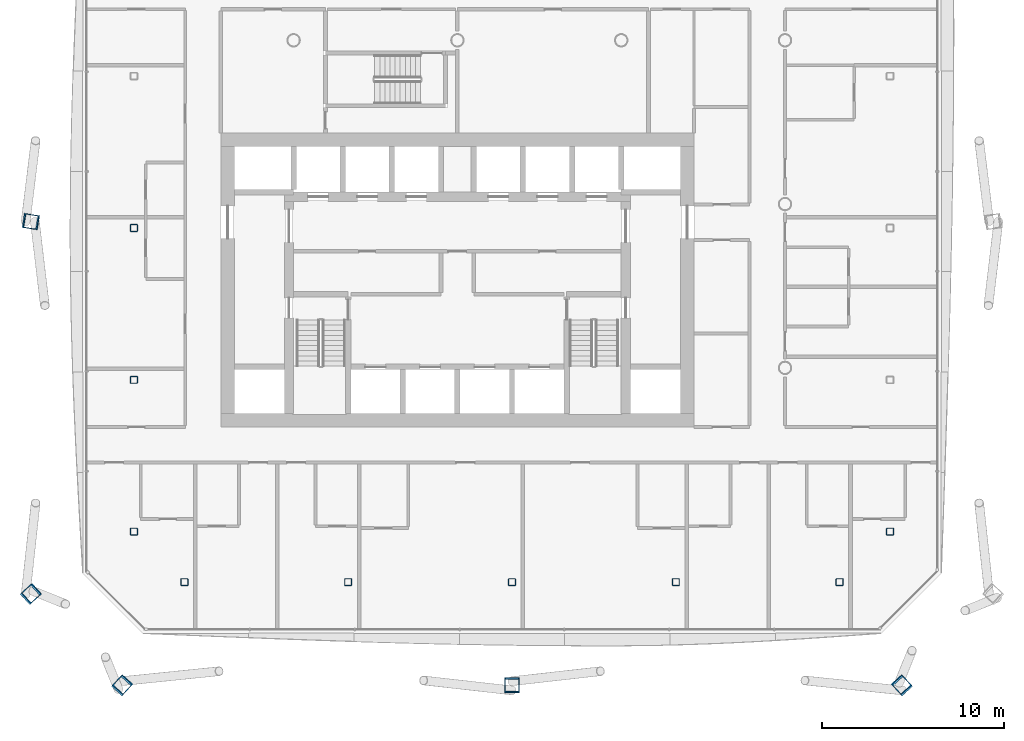
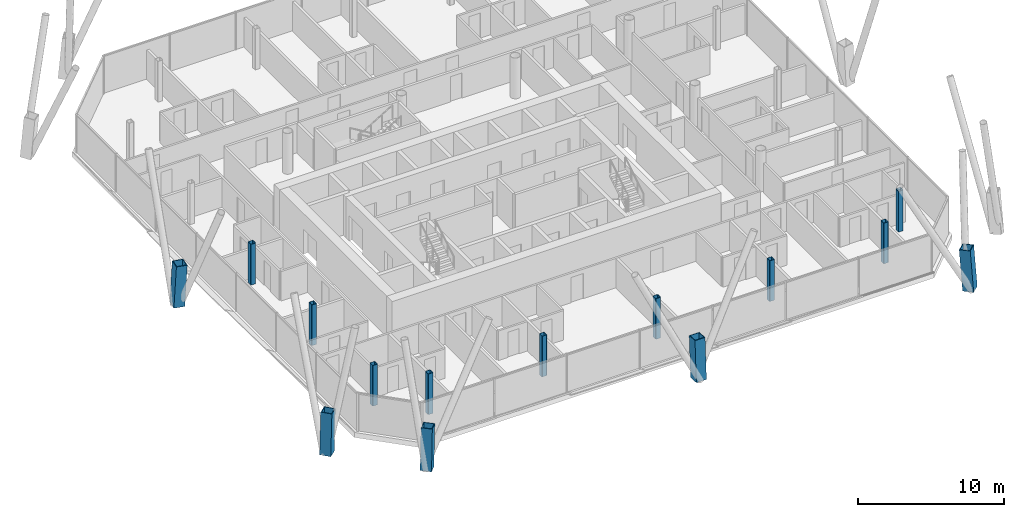
# One storey, part 1 of 22: 14 columns.
"""IFC4 building model written with IfcOpenShell, lengths in metres."""

from ifc_helpers import new_model, si_unit, direction, frame, origin, origin_2d, place, context, subcontext, project, spatial, hollow_rectangle, extrude, material, material_profile, profile_set, type_object, element, save


model = new_model("IFC4")

# Units and contexts
model_context = context("Model", 3, precision=1e-05, world=origin(), true_north=direction((0.0, 1.0)))
body_context = subcontext(model_context, "Body", "Model", "MODEL_VIEW")
ifc_project = project(units=[si_unit("LENGTHUNIT", "METRE"), si_unit("AREAUNIT", "SQUARE_METRE"), si_unit("VOLUMEUNIT", "CUBIC_METRE"), si_unit("PLANEANGLEUNIT", "RADIAN"), si_unit("MASSUNIT", "GRAM", prefix="KILO")], contexts=[model_context])

# Site, building, storey
site_placement = place(None, origin())
site = spatial("IfcSite", under=ifc_project, at=site_placement, CompositionType="ELEMENT")
building_placement = place(site_placement, origin())
building = spatial("IfcBuilding", under=site, at=building_placement, Name="Tskaro Facet Tower", CompositionType="ELEMENT")
storey_placement = place(building_placement, frame((0.0, 0.0, 121.5)))
storey = spatial("IfcBuildingStorey", under=building, at=storey_placement, Name="L28", CompositionType="ELEMENT", Elevation=121.5)

# Columns
ifc_material_1 = material(Name="Steel S460M", Category="steel")
ifc_material_profile_1 = material_profile(ifc_material_1, hollow_rectangle(XDim=0.800048828125, YDim=0.800048828125, WallThickness=0.050048828125, at=origin_2d()), Name="BOX 800x800x50")
ifc_profile_set_1 = profile_set([ifc_material_profile_1], Name="Steel S460M")
column_type_1 = type_object("IfcColumnType", Name="BOX 800x800x50 mega column", PredefinedType="COLUMN", material=ifc_profile_set_1)
column_1_placement = place(storey_placement, frame((-18.450927734375, -26.467041015625, 0.0), z_axis=(0.048986800555, 0.0537135971, 0.997354070959), x_axis=(-0.738869281565, 0.673848784787, 0.0)))
element("IfcColumn", 1, at=column_1_placement, inside=storey, type_object=column_type_1, Name="BOX 800x800x50 MC01/3", PredefinedType="COLUMN", context=body_context, shape_type="SweptSolid", body=[
    extrude(hollow_rectangle(XDim=0.800048828125, YDim=0.800048828125, WallThickness=0.050048828125, at=origin_2d()), origin(), (0.0, 0.0, 1.0), 3.408935546875),
])
column_2_placement = place(storey_placement, frame((3.0, -26.467041015625, 0.0), z_axis=(0.0, 0.053778161763, 0.998552907621), x_axis=(-1.0, 0.0, 0.0)))
element("IfcColumn", 2, at=column_2_placement, inside=storey, type_object=column_type_1, Name="BOX 800x800x50 MC02/3", PredefinedType="COLUMN", context=body_context, shape_type="SweptSolid", body=[
    extrude(hollow_rectangle(XDim=0.800048828125, YDim=0.800048828125, WallThickness=0.050048828125, at=origin_2d()), origin(), (0.0, 0.0, 1.0), 3.40478515625),
])
column_3_placement = place(storey_placement, frame((24.450927734375, -26.467041015625, 0.0), z_axis=(-0.048986800555, 0.0537135971, 0.997354070959), x_axis=(-0.738869281565, -0.673848784787, 0.0)))
element("IfcColumn", 3, at=column_3_placement, inside=storey, type_object=column_type_1, Name="BOX 800x800x50 MC03/3", PredefinedType="COLUMN", context=body_context, shape_type="SweptSolid", body=[
    extrude(hollow_rectangle(XDim=0.800048828125, YDim=0.800048828125, WallThickness=0.050048828125, at=origin_2d()), origin(), (0.0, 0.0, 1.0), 3.408935546875),
])
column_4_placement = place(storey_placement, frame((-23.467041015625, -0.95703125, 0.0), z_axis=(0.053776204111, -0.008532491052, 0.998516557934), x_axis=(0.156706377373, 0.987645235543, 0.0)))
element("IfcColumn", 4, at=column_4_placement, inside=storey, type_object=column_type_1, Name="BOX 800x800x50 MC11/3", PredefinedType="COLUMN", context=body_context, shape_type="SweptSolid", body=[
    extrude(hollow_rectangle(XDim=0.800048828125, YDim=0.800048828125, WallThickness=0.050048828125, at=origin_2d()), origin(), (0.0, 0.0, 1.0), 3.405029296875),
])
column_5_placement = place(storey_placement, frame((-23.467041015625, -21.450927734375, 0.0), z_axis=(0.0537135971, 0.048986800555, 0.997354070959), x_axis=(-0.673848784787, 0.738869281565, 0.0)))
element("IfcColumn", 5, at=column_5_placement, inside=storey, type_object=column_type_1, Name="BOX 800x800x50 MC12/3", PredefinedType="COLUMN", context=body_context, shape_type="SweptSolid", body=[
    extrude(hollow_rectangle(XDim=0.800048828125, YDim=0.800048828125, WallThickness=0.050048828125, at=origin_2d()), origin(), (0.0, 0.0, 1.0), 3.408935546875),
])
ifc_material_2 = material(Name="Steel S355J2H", Category="steel")
ifc_material_profile_2 = material_profile(ifc_material_2, hollow_rectangle(XDim=0.39990234375, YDim=0.39990234375, WallThickness=0.02001953125, InnerFilletRadius=0.030029296875, OuterFilletRadius=0.050048828125, at=origin_2d()), Name="SHS 400x400x20")
ifc_profile_set_2 = profile_set([ifc_material_profile_2], Name="Steel S355J2H")
column_type_2 = type_object("IfcColumnType", Name="SHS 400x400x20 ring column", PredefinedType="COLUMN", material=ifc_profile_set_2)
for number, where, z_axis, x_axis, name in (
    (6, (-14.9990234375, -20.77392578125, 0.0), (0.0, 0.0, 1.0), (1.0, 0.0, 0.0), "SHS 400x400x20 RS-1/3"),
    (7, (-6.0, -20.77392578125, 0.0), (0.0, 0.0, 1.0), (1.0, 0.0, 0.0), "SHS 400x400x20 RS-2/3"),
    (8, (3.0, -20.77392578125, 0.0), (0.0, 0.0, 1.0), (1.0, 0.0, 0.0), "SHS 400x400x20 RS-3/3"),
    (9, (12.0, -20.77392578125, 0.0), (0.0, 0.0, 1.0), (1.0, 0.0, 0.0), "SHS 400x400x20 RS-4/3"),
    (10, (20.9990234375, -20.77392578125, 0.0), (0.0, 0.0, 1.0), (1.0, 0.0, 0.0), "SHS 400x400x20 RSE-1/3"),
    (11, (23.77392578125, -17.9990234375, 0.0), (0.0, 0.0, 1.0), (1.0, 0.0, 0.0), "SHS 400x400x20 RE-1/3"),
    (12, (-17.77392578125, -1.31494140625, 0.0), (0.0, 0.0, 1.0), (1.0, 0.0, 0.0), "SHS 400x400x20 RW-3/3"),
    (13, (-17.77392578125, -9.656982421875, 0.0), (0.0, 0.0, 1.0), (1.0, 0.0, 0.0), "SHS 400x400x20 RW-4/3"),
    (14, (-17.77392578125, -17.9990234375, 0.0), (0.0, 0.0, 1.0), (1.0, 0.0, 0.0), "SHS 400x400x20 RSW-1/3"),
):
    element("IfcColumn", number, at=place(storey_placement, frame(where, z_axis=z_axis, x_axis=x_axis)), inside=storey, type_object=column_type_2, Name=name, PredefinedType="COLUMN", context=body_context, shape_type="SweptSolid", body=[
        extrude(hollow_rectangle(XDim=0.39990234375, YDim=0.39990234375, WallThickness=0.02001953125, InnerFilletRadius=0.030029296875, OuterFilletRadius=0.050048828125, at=origin_2d()), origin(), (0.0, 0.0, 1.0), 3.39990234375),
    ])

save(model, "model.ifc")
